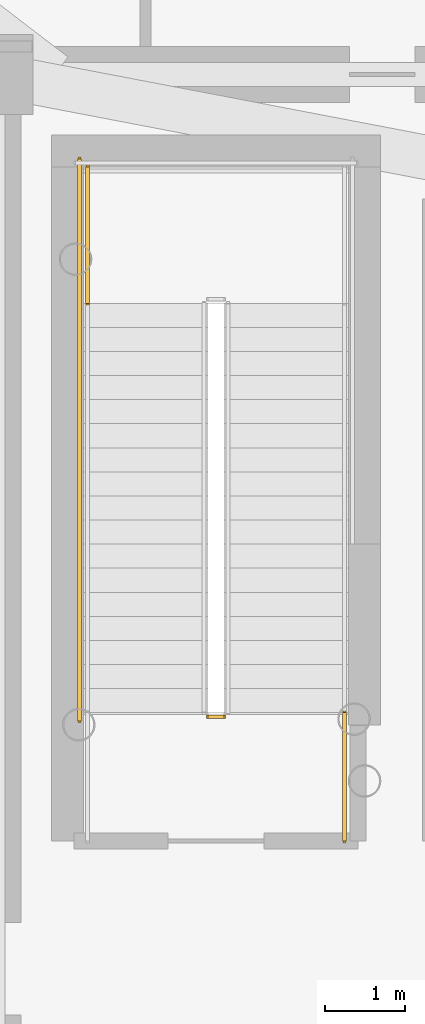
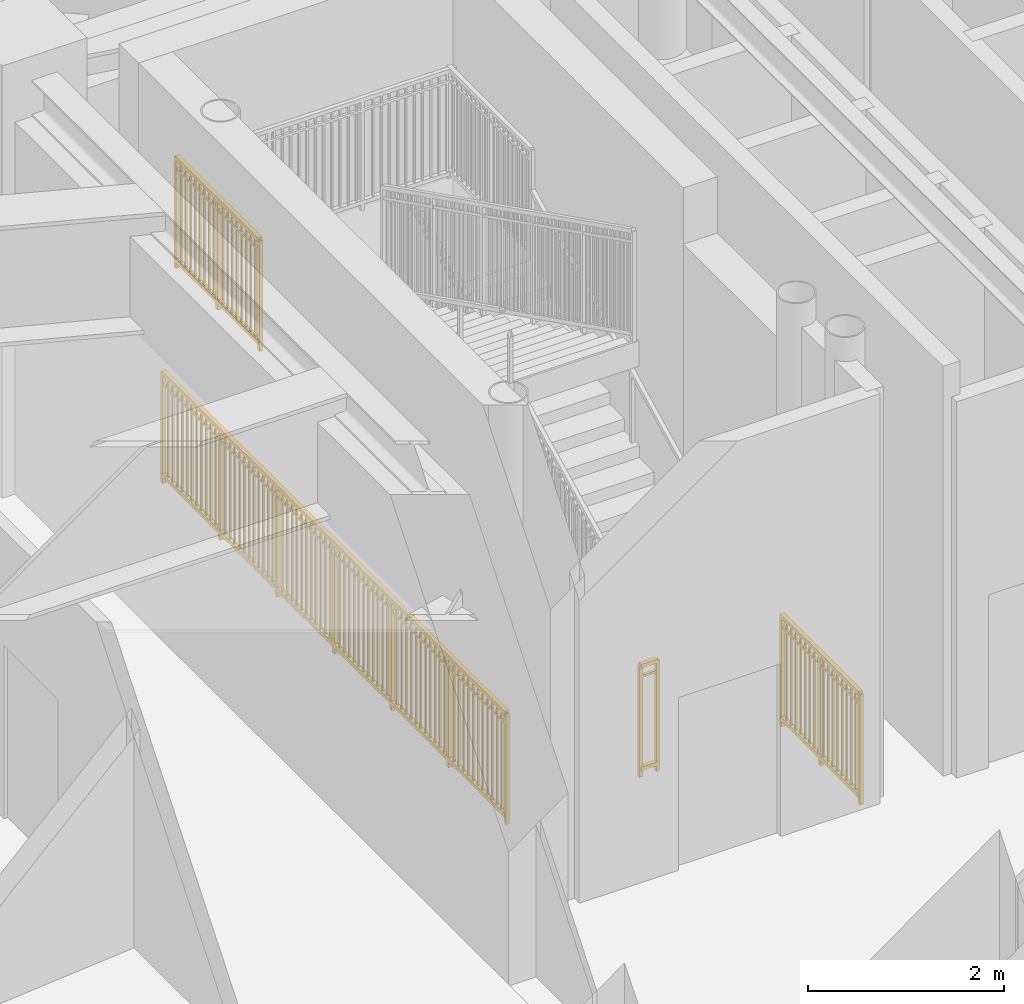
# One storey, part 9 of 14: 4 railings.
"""IFC4 building model written with IfcOpenShell, lengths in metres."""

from ifc_helpers import new_model, si_unit, direction, frame, origin, origin_2d, place, context, subcontext, project, spatial, rectangle, extrude, source, transform, mapped, material, type_object, element, save


model = new_model("IFC4")

# Units and contexts
model_context = context("Model", 3, precision=1e-05, world=origin(), true_north=direction((0.0, 1.0)))
body_context = subcontext(model_context, "Body", "Model", "MODEL_VIEW")
ifc_project = project(units=[si_unit("LENGTHUNIT", "METRE"), si_unit("AREAUNIT", "SQUARE_METRE"), si_unit("VOLUMEUNIT", "CUBIC_METRE"), si_unit("PLANEANGLEUNIT", "RADIAN"), si_unit("MASSUNIT", "GRAM", prefix="KILO")], contexts=[model_context])

# Site, building, storey
site_placement = place(None, origin())
site = spatial("IfcSite", under=ifc_project, at=site_placement, CompositionType="ELEMENT")
building_placement = place(site_placement, origin())
building = spatial("IfcBuilding", under=site, at=building_placement, Name="Linh Dai School and Residence Tower", CompositionType="ELEMENT")
storey_placement = place(building_placement, frame((0.0, 0.0, 262.800048828125)))
storey = spatial("IfcBuildingStorey", under=building, at=storey_placement, Name="L65", CompositionType="ELEMENT", Elevation=262.800048828125)

# Railings
ifc_material = material(Name="Structural Steel S355JR", Category="steel")
railing_type = type_object("IfcRailingType", Name="RL-ST-GUARD-1400", PredefinedType="GUARDRAIL", material=ifc_material)
shared_shape_1 = source(origin(), body_context, "Body", "SweptSolid", [
    extrude(rectangle(XDim=0.048095703125, YDim=0.048095703125, at=origin_2d()), frame((0.0, 0.0, 1.3759765625), z_axis=(-1.0, 0.0, 0.0), x_axis=(0.0, -1.0, 0.0)), (0.0, 0.0, 1.0), 0.199951171875),
    extrude(rectangle(XDim=0.048095703125, YDim=0.048095703125, at=origin_2d()), frame((0.0, 0.0, 0.10009765625), z_axis=(-1.0, 0.0, 0.0), x_axis=(0.0, -1.0, 0.0)), (0.0, 0.0, 1.0), 0.199951171875),
    extrude(rectangle(XDim=0.030029296875, YDim=0.030029296875, at=origin_2d()), frame((0.0, 0.0, 1.239990234375), z_axis=(-1.0, 0.0, 0.0), x_axis=(0.0, -1.0, 0.0)), (0.0, 0.0, 1.0), 0.199951171875),
    extrude(rectangle(XDim=0.0419921875, YDim=0.0419921875, at=origin_2d()), origin(), (0.0, 0.0, 1.0), 1.3759765625),
    extrude(rectangle(XDim=0.0419921875, YDim=0.0419921875, at=origin_2d()), frame((-0.199951171875, 0.0, 0.0)), (0.0, 0.0, 1.0), 1.3759765625),
])
railing_1_placement = place(storey_placement, frame((29.429931640625, 25.64990234375, 0.0)))
element("IfcRailing", 1, at=railing_1_placement, inside=storey, type_object=railing_type, Name="L65 ST1 stair guard 7", PredefinedType="GUARDRAIL", context=body_context, shape_type="MappedRepresentation", body=[
    mapped(shared_shape_1, transform((0.0, 0.0, 0.0), x_axis=(1.0, 0.0, 0.0), y_axis=(0.0, 1.0, 0.0), z_axis=(0.0, 0.0, 1.0), scale=1.0)),
])
shared_shape_2 = source(origin(), body_context, "Body", "SweptSolid", [
    extrude(rectangle(XDim=0.048095703125, YDim=0.048095703125, at=origin_2d()), frame((0.0, 0.0, 1.3759765625), z_axis=(0.0, 1.0, 0.0), x_axis=(-1.0, 0.0, 0.0)), (0.0, 0.0, 1.0), 1.599853515625),
    extrude(rectangle(XDim=0.048095703125, YDim=0.048095703125, at=origin_2d()), frame((0.0, 0.0, 0.10009765625), z_axis=(0.0, 1.0, 0.0), x_axis=(-1.0, 0.0, 0.0)), (0.0, 0.0, 1.0), 1.599853515625),
    extrude(rectangle(XDim=0.030029296875, YDim=0.030029296875, at=origin_2d()), frame((0.0, 0.0, 1.239990234375), z_axis=(0.0, 1.0, 0.0), x_axis=(-1.0, 0.0, 0.0)), (0.0, 0.0, 1.0), 1.599853515625),
    extrude(rectangle(XDim=0.02001953125, YDim=0.02001953125, at=origin_2d()), frame((0.0, 0.093994140625, 0.10009765625)), (0.0, 0.0, 1.0), 1.251708984375),
    extrude(rectangle(XDim=0.02001953125, YDim=0.02001953125, at=origin_2d()), frame((0.0, 0.188232421875, 0.10009765625)), (0.0, 0.0, 1.0), 1.251708984375),
    extrude(rectangle(XDim=0.02001953125, YDim=0.02001953125, at=origin_2d()), frame((0.0, 0.2822265625, 0.10009765625)), (0.0, 0.0, 1.0), 1.251708984375),
    extrude(rectangle(XDim=0.02001953125, YDim=0.02001953125, at=origin_2d()), frame((0.0, 0.37646484375, 0.10009765625)), (0.0, 0.0, 1.0), 1.251708984375),
    extrude(rectangle(XDim=0.02001953125, YDim=0.02001953125, at=origin_2d()), frame((0.0, 0.470458984375, 0.10009765625)), (0.0, 0.0, 1.0), 1.251708984375),
    extrude(rectangle(XDim=0.02001953125, YDim=0.02001953125, at=origin_2d()), frame((0.0, 0.564697265625, 0.10009765625)), (0.0, 0.0, 1.0), 1.251708984375),
    extrude(rectangle(XDim=0.02001953125, YDim=0.02001953125, at=origin_2d()), frame((0.0, 0.65869140625, 0.10009765625)), (0.0, 0.0, 1.0), 1.251708984375),
    extrude(rectangle(XDim=0.02001953125, YDim=0.02001953125, at=origin_2d()), frame((0.0, 0.7529296875, 0.10009765625)), (0.0, 0.0, 1.0), 1.251708984375),
    extrude(rectangle(XDim=0.02001953125, YDim=0.02001953125, at=origin_2d()), frame((0.0, 0.846923828125, 0.10009765625)), (0.0, 0.0, 1.0), 1.251708984375),
    extrude(rectangle(XDim=0.02001953125, YDim=0.02001953125, at=origin_2d()), frame((0.0, 0.941162109375, 0.10009765625)), (0.0, 0.0, 1.0), 1.251708984375),
    extrude(rectangle(XDim=0.02001953125, YDim=0.02001953125, at=origin_2d()), frame((0.0, 1.03515625, 0.10009765625)), (0.0, 0.0, 1.0), 1.251708984375),
    extrude(rectangle(XDim=0.02001953125, YDim=0.02001953125, at=origin_2d()), frame((0.0, 1.12939453125, 0.10009765625)), (0.0, 0.0, 1.0), 1.251708984375),
    extrude(rectangle(XDim=0.02001953125, YDim=0.02001953125, at=origin_2d()), frame((0.0, 1.223388671875, 0.10009765625)), (0.0, 0.0, 1.0), 1.251708984375),
    extrude(rectangle(XDim=0.02001953125, YDim=0.02001953125, at=origin_2d()), frame((0.0, 1.317626953125, 0.10009765625)), (0.0, 0.0, 1.0), 1.251708984375),
    extrude(rectangle(XDim=0.02001953125, YDim=0.02001953125, at=origin_2d()), frame((0.0, 1.41162109375, 0.10009765625)), (0.0, 0.0, 1.0), 1.251708984375),
    extrude(rectangle(XDim=0.02001953125, YDim=0.02001953125, at=origin_2d()), frame((0.0, 1.505859375, 0.10009765625)), (0.0, 0.0, 1.0), 1.251708984375),
    extrude(rectangle(XDim=0.0419921875, YDim=0.0419921875, at=origin_2d()), origin(), (0.0, 0.0, 1.0), 1.3759765625),
    extrude(rectangle(XDim=0.0419921875, YDim=0.0419921875, at=origin_2d()), frame((0.0, 0.7998046875, 0.0)), (0.0, 0.0, 1.0), 1.3759765625),
    extrude(rectangle(XDim=0.0419921875, YDim=0.0419921875, at=origin_2d()), frame((0.0, 1.599853515625, 0.0)), (0.0, 0.0, 1.0), 1.3759765625),
])
railing_2_placement = place(storey_placement, frame((30.929931640625, 24.10009765625, 0.0)))
element("IfcRailing", 2, at=railing_2_placement, inside=storey, type_object=railing_type, Name="L65 ST1 stair guard 8", PredefinedType="GUARDRAIL", context=body_context, shape_type="MappedRepresentation", body=[
    mapped(shared_shape_2, transform((0.0, 0.0, 0.0), x_axis=(1.0, 0.0, 0.0), y_axis=(0.0, 1.0, 0.0), z_axis=(0.0, 0.0, 1.0), scale=1.0)),
])
shared_shape_3 = source(origin(), body_context, "Body", "SweptSolid", [
    extrude(rectangle(XDim=0.048095703125, YDim=0.048095703125, at=origin_2d()), frame((0.0, 0.0, 1.3759765625), z_axis=(0.0, 1.0, 0.0), x_axis=(-1.0, 0.0, 0.0)), (0.0, 0.0, 1.0), 7.0),
    extrude(rectangle(XDim=0.048095703125, YDim=0.048095703125, at=origin_2d()), frame((0.0, 0.0, 0.10009765625), z_axis=(0.0, 1.0, 0.0), x_axis=(-1.0, 0.0, 0.0)), (0.0, 0.0, 1.0), 7.0),
    extrude(rectangle(XDim=0.030029296875, YDim=0.030029296875, at=origin_2d()), frame((0.0, 0.0, 1.239990234375), z_axis=(0.0, 1.0, 0.0), x_axis=(-1.0, 0.0, 0.0)), (0.0, 0.0, 1.0), 7.0),
    extrude(rectangle(XDim=0.02001953125, YDim=0.02001953125, at=origin_2d()), frame((0.0, 0.09716796875, 0.10009765625)), (0.0, 0.0, 1.0), 1.251708984375),
    extrude(rectangle(XDim=0.02001953125, YDim=0.02001953125, at=origin_2d()), frame((0.0, 0.1943359375, 0.10009765625)), (0.0, 0.0, 1.0), 1.251708984375),
    extrude(rectangle(XDim=0.02001953125, YDim=0.02001953125, at=origin_2d()), frame((0.0, 0.291748046875, 0.10009765625)), (0.0, 0.0, 1.0), 1.251708984375),
    extrude(rectangle(XDim=0.02001953125, YDim=0.02001953125, at=origin_2d()), frame((0.0, 0.388916015625, 0.10009765625)), (0.0, 0.0, 1.0), 1.251708984375),
    extrude(rectangle(XDim=0.02001953125, YDim=0.02001953125, at=origin_2d()), frame((0.0, 0.486083984375, 0.10009765625)), (0.0, 0.0, 1.0), 1.251708984375),
    extrude(rectangle(XDim=0.02001953125, YDim=0.02001953125, at=origin_2d()), frame((0.0, 0.583251953125, 0.10009765625)), (0.0, 0.0, 1.0), 1.251708984375),
    extrude(rectangle(XDim=0.02001953125, YDim=0.02001953125, at=origin_2d()), frame((0.0, 0.6806640625, 0.10009765625)), (0.0, 0.0, 1.0), 1.251708984375),
    extrude(rectangle(XDim=0.02001953125, YDim=0.02001953125, at=origin_2d()), frame((0.0, 0.77783203125, 0.10009765625)), (0.0, 0.0, 1.0), 1.251708984375),
    extrude(rectangle(XDim=0.02001953125, YDim=0.02001953125, at=origin_2d()), frame((0.0, 0.875, 0.10009765625)), (0.0, 0.0, 1.0), 1.251708984375),
    extrude(rectangle(XDim=0.02001953125, YDim=0.02001953125, at=origin_2d()), frame((0.0, 0.97216796875, 0.10009765625)), (0.0, 0.0, 1.0), 1.251708984375),
    extrude(rectangle(XDim=0.02001953125, YDim=0.02001953125, at=origin_2d()), frame((0.0, 1.0693359375, 0.10009765625)), (0.0, 0.0, 1.0), 1.251708984375),
    extrude(rectangle(XDim=0.02001953125, YDim=0.02001953125, at=origin_2d()), frame((0.0, 1.263916015625, 0.10009765625)), (0.0, 0.0, 1.0), 1.251708984375),
    extrude(rectangle(XDim=0.02001953125, YDim=0.02001953125, at=origin_2d()), frame((0.0, 1.361083984375, 0.10009765625)), (0.0, 0.0, 1.0), 1.251708984375),
    extrude(rectangle(XDim=0.02001953125, YDim=0.02001953125, at=origin_2d()), frame((0.0, 1.458251953125, 0.10009765625)), (0.0, 0.0, 1.0), 1.251708984375),
    extrude(rectangle(XDim=0.02001953125, YDim=0.02001953125, at=origin_2d()), frame((0.0, 1.5556640625, 0.10009765625)), (0.0, 0.0, 1.0), 1.251708984375),
    extrude(rectangle(XDim=0.02001953125, YDim=0.02001953125, at=origin_2d()), frame((0.0, 1.65283203125, 0.10009765625)), (0.0, 0.0, 1.0), 1.251708984375),
    extrude(rectangle(XDim=0.02001953125, YDim=0.02001953125, at=origin_2d()), frame((0.0, 1.75, 0.10009765625)), (0.0, 0.0, 1.0), 1.251708984375),
    extrude(rectangle(XDim=0.02001953125, YDim=0.02001953125, at=origin_2d()), frame((0.0, 1.84716796875, 0.10009765625)), (0.0, 0.0, 1.0), 1.251708984375),
    extrude(rectangle(XDim=0.02001953125, YDim=0.02001953125, at=origin_2d()), frame((0.0, 1.9443359375, 0.10009765625)), (0.0, 0.0, 1.0), 1.251708984375),
    extrude(rectangle(XDim=0.02001953125, YDim=0.02001953125, at=origin_2d()), frame((0.0, 2.041748046875, 0.10009765625)), (0.0, 0.0, 1.0), 1.251708984375),
    extrude(rectangle(XDim=0.02001953125, YDim=0.02001953125, at=origin_2d()), frame((0.0, 2.138916015625, 0.10009765625)), (0.0, 0.0, 1.0), 1.251708984375),
    extrude(rectangle(XDim=0.02001953125, YDim=0.02001953125, at=origin_2d()), frame((0.0, 2.236083984375, 0.10009765625)), (0.0, 0.0, 1.0), 1.251708984375),
    extrude(rectangle(XDim=0.02001953125, YDim=0.02001953125, at=origin_2d()), frame((0.0, 2.4306640625, 0.10009765625)), (0.0, 0.0, 1.0), 1.251708984375),
    extrude(rectangle(XDim=0.02001953125, YDim=0.02001953125, at=origin_2d()), frame((0.0, 2.52783203125, 0.10009765625)), (0.0, 0.0, 1.0), 1.251708984375),
    extrude(rectangle(XDim=0.02001953125, YDim=0.02001953125, at=origin_2d()), frame((0.0, 2.625, 0.10009765625)), (0.0, 0.0, 1.0), 1.251708984375),
    extrude(rectangle(XDim=0.02001953125, YDim=0.02001953125, at=origin_2d()), frame((0.0, 2.72216796875, 0.10009765625)), (0.0, 0.0, 1.0), 1.251708984375),
    extrude(rectangle(XDim=0.02001953125, YDim=0.02001953125, at=origin_2d()), frame((0.0, 2.8193359375, 0.10009765625)), (0.0, 0.0, 1.0), 1.251708984375),
    extrude(rectangle(XDim=0.02001953125, YDim=0.02001953125, at=origin_2d()), frame((0.0, 2.916748046875, 0.10009765625)), (0.0, 0.0, 1.0), 1.251708984375),
    extrude(rectangle(XDim=0.02001953125, YDim=0.02001953125, at=origin_2d()), frame((0.0, 3.013916015625, 0.10009765625)), (0.0, 0.0, 1.0), 1.251708984375),
    extrude(rectangle(XDim=0.02001953125, YDim=0.02001953125, at=origin_2d()), frame((0.0, 3.111083984375, 0.10009765625)), (0.0, 0.0, 1.0), 1.251708984375),
    extrude(rectangle(XDim=0.02001953125, YDim=0.02001953125, at=origin_2d()), frame((0.0, 3.208251953125, 0.10009765625)), (0.0, 0.0, 1.0), 1.251708984375),
    extrude(rectangle(XDim=0.02001953125, YDim=0.02001953125, at=origin_2d()), frame((0.0, 3.3056640625, 0.10009765625)), (0.0, 0.0, 1.0), 1.251708984375),
    extrude(rectangle(XDim=0.02001953125, YDim=0.02001953125, at=origin_2d()), frame((0.0, 3.40283203125, 0.10009765625)), (0.0, 0.0, 1.0), 1.251708984375),
    extrude(rectangle(XDim=0.02001953125, YDim=0.02001953125, at=origin_2d()), frame((0.0, 3.59716796875, 0.10009765625)), (0.0, 0.0, 1.0), 1.251708984375),
    extrude(rectangle(XDim=0.02001953125, YDim=0.02001953125, at=origin_2d()), frame((0.0, 3.6943359375, 0.10009765625)), (0.0, 0.0, 1.0), 1.251708984375),
    extrude(rectangle(XDim=0.02001953125, YDim=0.02001953125, at=origin_2d()), frame((0.0, 3.791748046875, 0.10009765625)), (0.0, 0.0, 1.0), 1.251708984375),
    extrude(rectangle(XDim=0.02001953125, YDim=0.02001953125, at=origin_2d()), frame((0.0, 3.888916015625, 0.10009765625)), (0.0, 0.0, 1.0), 1.251708984375),
    extrude(rectangle(XDim=0.02001953125, YDim=0.02001953125, at=origin_2d()), frame((0.0, 3.986083984375, 0.10009765625)), (0.0, 0.0, 1.0), 1.251708984375),
    extrude(rectangle(XDim=0.02001953125, YDim=0.02001953125, at=origin_2d()), frame((0.0, 4.083251953125, 0.10009765625)), (0.0, 0.0, 1.0), 1.251708984375),
    extrude(rectangle(XDim=0.02001953125, YDim=0.02001953125, at=origin_2d()), frame((0.0, 4.1806640625, 0.10009765625)), (0.0, 0.0, 1.0), 1.251708984375),
    extrude(rectangle(XDim=0.02001953125, YDim=0.02001953125, at=origin_2d()), frame((0.0, 4.27783203125, 0.10009765625)), (0.0, 0.0, 1.0), 1.251708984375),
    extrude(rectangle(XDim=0.02001953125, YDim=0.02001953125, at=origin_2d()), frame((0.0, 4.375, 0.10009765625)), (0.0, 0.0, 1.0), 1.251708984375),
    extrude(rectangle(XDim=0.02001953125, YDim=0.02001953125, at=origin_2d()), frame((0.0, 4.47216796875, 0.10009765625)), (0.0, 0.0, 1.0), 1.251708984375),
    extrude(rectangle(XDim=0.02001953125, YDim=0.02001953125, at=origin_2d()), frame((0.0, 4.5693359375, 0.10009765625)), (0.0, 0.0, 1.0), 1.251708984375),
    extrude(rectangle(XDim=0.02001953125, YDim=0.02001953125, at=origin_2d()), frame((0.0, 4.763916015625, 0.10009765625)), (0.0, 0.0, 1.0), 1.251708984375),
    extrude(rectangle(XDim=0.02001953125, YDim=0.02001953125, at=origin_2d()), frame((0.0, 4.861083984375, 0.10009765625)), (0.0, 0.0, 1.0), 1.251708984375),
    extrude(rectangle(XDim=0.02001953125, YDim=0.02001953125, at=origin_2d()), frame((0.0, 4.958251953125, 0.10009765625)), (0.0, 0.0, 1.0), 1.251708984375),
    extrude(rectangle(XDim=0.02001953125, YDim=0.02001953125, at=origin_2d()), frame((0.0, 5.0556640625, 0.10009765625)), (0.0, 0.0, 1.0), 1.251708984375),
    extrude(rectangle(XDim=0.02001953125, YDim=0.02001953125, at=origin_2d()), frame((0.0, 5.15283203125, 0.10009765625)), (0.0, 0.0, 1.0), 1.251708984375),
    extrude(rectangle(XDim=0.02001953125, YDim=0.02001953125, at=origin_2d()), frame((0.0, 5.25, 0.10009765625)), (0.0, 0.0, 1.0), 1.251708984375),
    extrude(rectangle(XDim=0.02001953125, YDim=0.02001953125, at=origin_2d()), frame((0.0, 5.34716796875, 0.10009765625)), (0.0, 0.0, 1.0), 1.251708984375),
    extrude(rectangle(XDim=0.02001953125, YDim=0.02001953125, at=origin_2d()), frame((0.0, 5.4443359375, 0.10009765625)), (0.0, 0.0, 1.0), 1.251708984375),
    extrude(rectangle(XDim=0.02001953125, YDim=0.02001953125, at=origin_2d()), frame((0.0, 5.541748046875, 0.10009765625)), (0.0, 0.0, 1.0), 1.251708984375),
    extrude(rectangle(XDim=0.02001953125, YDim=0.02001953125, at=origin_2d()), frame((0.0, 5.638916015625, 0.10009765625)), (0.0, 0.0, 1.0), 1.251708984375),
    extrude(rectangle(XDim=0.02001953125, YDim=0.02001953125, at=origin_2d()), frame((0.0, 5.736083984375, 0.10009765625)), (0.0, 0.0, 1.0), 1.251708984375),
    extrude(rectangle(XDim=0.02001953125, YDim=0.02001953125, at=origin_2d()), frame((0.0, 5.9306640625, 0.10009765625)), (0.0, 0.0, 1.0), 1.251708984375),
    extrude(rectangle(XDim=0.02001953125, YDim=0.02001953125, at=origin_2d()), frame((0.0, 6.02783203125, 0.10009765625)), (0.0, 0.0, 1.0), 1.251708984375),
    extrude(rectangle(XDim=0.02001953125, YDim=0.02001953125, at=origin_2d()), frame((0.0, 6.125, 0.10009765625)), (0.0, 0.0, 1.0), 1.251708984375),
    extrude(rectangle(XDim=0.02001953125, YDim=0.02001953125, at=origin_2d()), frame((0.0, 6.22216796875, 0.10009765625)), (0.0, 0.0, 1.0), 1.251708984375),
    extrude(rectangle(XDim=0.02001953125, YDim=0.02001953125, at=origin_2d()), frame((0.0, 6.3193359375, 0.10009765625)), (0.0, 0.0, 1.0), 1.251708984375),
    extrude(rectangle(XDim=0.02001953125, YDim=0.02001953125, at=origin_2d()), frame((0.0, 6.416748046875, 0.10009765625)), (0.0, 0.0, 1.0), 1.251708984375),
    extrude(rectangle(XDim=0.02001953125, YDim=0.02001953125, at=origin_2d()), frame((0.0, 6.513916015625, 0.10009765625)), (0.0, 0.0, 1.0), 1.251708984375),
    extrude(rectangle(XDim=0.02001953125, YDim=0.02001953125, at=origin_2d()), frame((0.0, 6.611083984375, 0.10009765625)), (0.0, 0.0, 1.0), 1.251708984375),
    extrude(rectangle(XDim=0.02001953125, YDim=0.02001953125, at=origin_2d()), frame((0.0, 6.708251953125, 0.10009765625)), (0.0, 0.0, 1.0), 1.251708984375),
    extrude(rectangle(XDim=0.02001953125, YDim=0.02001953125, at=origin_2d()), frame((0.0, 6.8056640625, 0.10009765625)), (0.0, 0.0, 1.0), 1.251708984375),
    extrude(rectangle(XDim=0.02001953125, YDim=0.02001953125, at=origin_2d()), frame((0.0, 6.90283203125, 0.10009765625)), (0.0, 0.0, 1.0), 1.251708984375),
    extrude(rectangle(XDim=0.0419921875, YDim=0.0419921875, at=origin_2d()), origin(), (0.0, 0.0, 1.0), 1.3759765625),
    extrude(rectangle(XDim=0.0419921875, YDim=0.0419921875, at=origin_2d()), frame((0.0, 1.166748046875, 0.0)), (0.0, 0.0, 1.0), 1.3759765625),
    extrude(rectangle(XDim=0.0419921875, YDim=0.0419921875, at=origin_2d()), frame((0.0, 2.333251953125, 0.0)), (0.0, 0.0, 1.0), 1.3759765625),
    extrude(rectangle(XDim=0.0419921875, YDim=0.0419921875, at=origin_2d()), frame((0.0, 3.5, 0.0)), (0.0, 0.0, 1.0), 1.3759765625),
    extrude(rectangle(XDim=0.0419921875, YDim=0.0419921875, at=origin_2d()), frame((0.0, 4.666748046875, 0.0)), (0.0, 0.0, 1.0), 1.3759765625),
    extrude(rectangle(XDim=0.0419921875, YDim=0.0419921875, at=origin_2d()), frame((0.0, 5.833251953125, 0.0)), (0.0, 0.0, 1.0), 1.3759765625),
    extrude(rectangle(XDim=0.0419921875, YDim=0.0419921875, at=origin_2d()), frame((0.0, 7.0, 0.0)), (0.0, 0.0, 1.0), 1.3759765625),
])
railing_3_placement = place(storey_placement, frame((27.6298828125, 25.60009765625, 0.0)))
element("IfcRailing", 3, at=railing_3_placement, inside=storey, type_object=railing_type, Name="L65 ST1 stair guard 11", PredefinedType="GUARDRAIL", context=body_context, shape_type="MappedRepresentation", body=[
    mapped(shared_shape_3, transform((0.0, 0.0, 0.0), x_axis=(1.0, 0.0, 0.0), y_axis=(0.0, 1.0, 0.0), z_axis=(0.0, 0.0, 1.0), scale=1.0)),
])
shared_shape_4 = source(origin(), body_context, "Body", "SweptSolid", [
    extrude(rectangle(XDim=0.048095703125, YDim=0.048095703125, at=origin_2d()), frame((0.0, 0.0, 1.3759765625), z_axis=(0.0, 1.0, 0.0), x_axis=(-1.0, 0.0, 0.0)), (0.0, 0.0, 1.0), 1.699951171875),
    extrude(rectangle(XDim=0.048095703125, YDim=0.048095703125, at=origin_2d()), frame((0.0, 0.0, 0.10009765625), z_axis=(0.0, 1.0, 0.0), x_axis=(-1.0, 0.0, 0.0)), (0.0, 0.0, 1.0), 1.699951171875),
    extrude(rectangle(XDim=0.030029296875, YDim=0.030029296875, at=origin_2d()), frame((0.0, 0.0, 1.239990234375), z_axis=(0.0, 1.0, 0.0), x_axis=(-1.0, 0.0, 0.0)), (0.0, 0.0, 1.0), 1.699951171875),
    extrude(rectangle(XDim=0.02001953125, YDim=0.02001953125, at=origin_2d()), frame((0.0, 0.094482421875, 0.10009765625)), (0.0, 0.0, 1.0), 1.251708984375),
    extrude(rectangle(XDim=0.02001953125, YDim=0.02001953125, at=origin_2d()), frame((0.0, 0.18896484375, 0.10009765625)), (0.0, 0.0, 1.0), 1.251708984375),
    extrude(rectangle(XDim=0.02001953125, YDim=0.02001953125, at=origin_2d()), frame((0.0, 0.283203125, 0.10009765625)), (0.0, 0.0, 1.0), 1.251708984375),
    extrude(rectangle(XDim=0.02001953125, YDim=0.02001953125, at=origin_2d()), frame((0.0, 0.377685546875, 0.10009765625)), (0.0, 0.0, 1.0), 1.251708984375),
    extrude(rectangle(XDim=0.02001953125, YDim=0.02001953125, at=origin_2d()), frame((0.0, 0.47216796875, 0.10009765625)), (0.0, 0.0, 1.0), 1.251708984375),
    extrude(rectangle(XDim=0.02001953125, YDim=0.02001953125, at=origin_2d()), frame((0.0, 0.566650390625, 0.10009765625)), (0.0, 0.0, 1.0), 1.251708984375),
    extrude(rectangle(XDim=0.02001953125, YDim=0.02001953125, at=origin_2d()), frame((0.0, 0.6611328125, 0.10009765625)), (0.0, 0.0, 1.0), 1.251708984375),
    extrude(rectangle(XDim=0.02001953125, YDim=0.02001953125, at=origin_2d()), frame((0.0, 0.755615234375, 0.10009765625)), (0.0, 0.0, 1.0), 1.251708984375),
    extrude(rectangle(XDim=0.02001953125, YDim=0.02001953125, at=origin_2d()), frame((0.0, 0.9443359375, 0.10009765625)), (0.0, 0.0, 1.0), 1.251708984375),
    extrude(rectangle(XDim=0.02001953125, YDim=0.02001953125, at=origin_2d()), frame((0.0, 1.038818359375, 0.10009765625)), (0.0, 0.0, 1.0), 1.251708984375),
    extrude(rectangle(XDim=0.02001953125, YDim=0.02001953125, at=origin_2d()), frame((0.0, 1.13330078125, 0.10009765625)), (0.0, 0.0, 1.0), 1.251708984375),
    extrude(rectangle(XDim=0.02001953125, YDim=0.02001953125, at=origin_2d()), frame((0.0, 1.227783203125, 0.10009765625)), (0.0, 0.0, 1.0), 1.251708984375),
    extrude(rectangle(XDim=0.02001953125, YDim=0.02001953125, at=origin_2d()), frame((0.0, 1.322265625, 0.10009765625)), (0.0, 0.0, 1.0), 1.251708984375),
    extrude(rectangle(XDim=0.02001953125, YDim=0.02001953125, at=origin_2d()), frame((0.0, 1.41650390625, 0.10009765625)), (0.0, 0.0, 1.0), 1.251708984375),
    extrude(rectangle(XDim=0.02001953125, YDim=0.02001953125, at=origin_2d()), frame((0.0, 1.510986328125, 0.10009765625)), (0.0, 0.0, 1.0), 1.251708984375),
    extrude(rectangle(XDim=0.02001953125, YDim=0.02001953125, at=origin_2d()), frame((0.0, 1.60546875, 0.10009765625)), (0.0, 0.0, 1.0), 1.251708984375),
    extrude(rectangle(XDim=0.0419921875, YDim=0.0419921875, at=origin_2d()), origin(), (0.0, 0.0, 1.0), 1.3759765625),
    extrude(rectangle(XDim=0.0419921875, YDim=0.0419921875, at=origin_2d()), frame((0.0, 0.85009765625, 0.0)), (0.0, 0.0, 1.0), 1.3759765625),
    extrude(rectangle(XDim=0.0419921875, YDim=0.0419921875, at=origin_2d()), frame((0.0, 1.699951171875, 0.0)), (0.0, 0.0, 1.0), 1.3759765625),
])
railing_4_placement = place(storey_placement, frame((27.72998046875, 30.800048828125, 2.699951171875)))
element("IfcRailing", 4, at=railing_4_placement, inside=storey, type_object=railing_type, Name="L65 ST1 stair guard 4", PredefinedType="GUARDRAIL", context=body_context, shape_type="MappedRepresentation", body=[
    mapped(shared_shape_4, transform((0.0, 0.0, 0.0), x_axis=(1.0, 0.0, 0.0), y_axis=(0.0, 1.0, 0.0), z_axis=(0.0, 0.0, 1.0), scale=1.0)),
])

save(model, "model.ifc")
